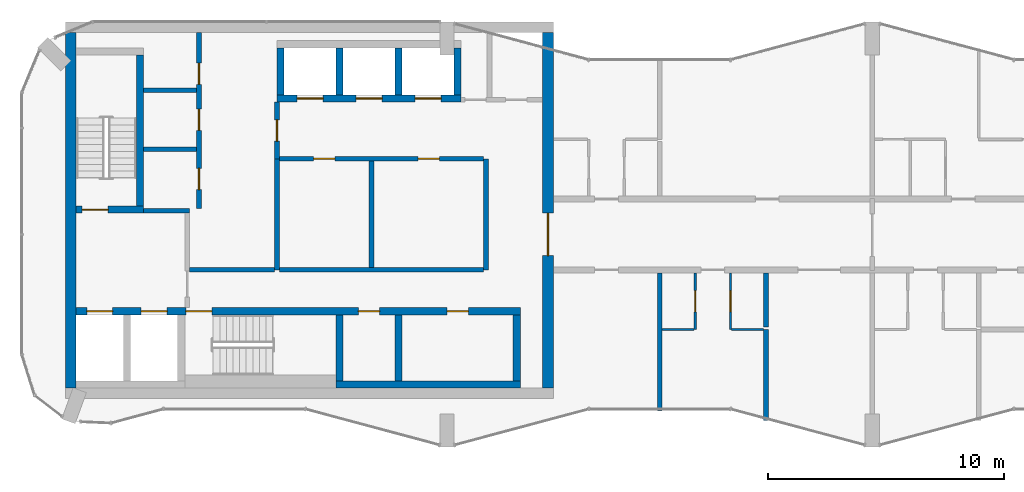
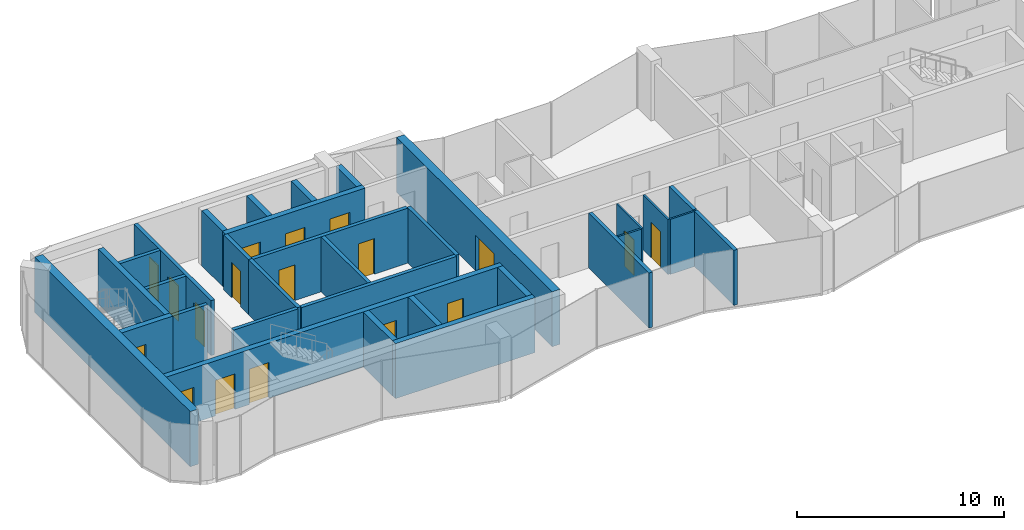
# One storey, part 7 of 10: 32 walls, 18 doors, 18 openings.
"""IFC4 building model written with IfcOpenShell, lengths in metres."""

from ifc_helpers import new_model, si_unit, direction, frame, frame_2d, origin, place, context, subcontext, project, spatial, rectangle, extrude, material, layer, layer_set, type_object, element, fill, save


model = new_model("IFC4")

# Units and contexts
model_context = context("Model", 3, precision=1e-05, world=origin(), true_north=direction((0.0, 1.0)))
body_context = subcontext(model_context, "Body", "Model", "MODEL_VIEW")
ifc_project = project(units=[si_unit("LENGTHUNIT", "METRE"), si_unit("AREAUNIT", "SQUARE_METRE"), si_unit("VOLUMEUNIT", "CUBIC_METRE"), si_unit("PLANEANGLEUNIT", "RADIAN"), si_unit("MASSUNIT", "GRAM", prefix="KILO")], contexts=[model_context])

# Site, building, storey
site_placement = place(None, origin())
site = spatial("IfcSite", under=ifc_project, at=site_placement, CompositionType="ELEMENT")
building_placement = place(site_placement, origin())
building = spatial("IfcBuilding", under=site, at=building_placement, Name="Plateau Cross Towers", CompositionType="ELEMENT")
storey_placement = place(building_placement, frame((0.0, 0.0, 263.39990234375)))
storey = spatial("IfcBuildingStorey", under=building, at=storey_placement, Name="L69", CompositionType="ELEMENT", Elevation=263.39990234375)

# Walls
ifc_material_1 = material(Name="Concrete block, plastered both sides", Category="concrete")
ifc_layer_1 = layer(ifc_material_1, 0.199951171875)
ifc_layer_set_1 = layer_set([ifc_layer_1], Name="Concrete block, plastered both sides")
wall_type_1 = type_object("IfcWallType", Name="Core partition 200", PredefinedType="PARTITIONING", material=ifc_layer_set_1)
wall_1_placement = place(storey_placement, frame((5.14990234375, 10.0, 0.0), z_axis=(0.0, 0.0, 1.0), x_axis=(1.0, 0.0, 0.0)))
element("IfcWall", 1, at=wall_1_placement, inside=storey, type_object=wall_type_1, Name="Core partition", PredefinedType="PARTITIONING", context=body_context, shape_type="SweptSolid", body=[
    extrude(rectangle(XDim=1.9501953125, YDim=0.199951171875, at=frame_2d((0.97509765625, 0.0))), origin(), (0.0, 0.0, 1.0), 3.25),
])
wall_2_placement = place(storey_placement, frame((7.10009765625, 7.5, 0.0), z_axis=(0.0, 0.0, 1.0), x_axis=(1.0, 0.0, 0.0)))
element("IfcWall", 2, at=wall_2_placement, inside=storey, type_object=wall_type_1, Name="Core partition", PredefinedType="PARTITIONING", context=body_context, shape_type="SweptSolid", body=[
    extrude(rectangle(XDim=3.599853515625, YDim=0.199951171875, at=frame_2d((1.7998046875, 0.0))), origin(), (0.0, 0.0, 1.0), 3.25),
])

# Wall, opening, door
wall_3_placement = place(storey_placement, frame((10.800048828125, 12.199951171875, 0.0), z_axis=(0.0, 0.0, 1.0), x_axis=(0.0, 1.0, 0.0)))
wall_3 = element("IfcWall", 3, at=wall_3_placement, inside=storey, type_object=wall_type_1, Name="Core partition", PredefinedType="PARTITIONING", context=body_context, shape_type="SweptSolid", body=[
    extrude(rectangle(XDim=2.400146484375, YDim=0.199951171875, at=frame_2d((1.2001953125, 0.0))), origin(), (0.0, 0.0, 1.0), 3.25),
])
opening_1_placement = place(wall_3_placement, frame((0.75, 0.0, 0.0)))
opening_1 = element("IfcOpeningElement", 4, at=opening_1_placement, cuts=wall_3, Name="Opening RD1", PredefinedType="OPENING", context=body_context, shape_type="SweptSolid", body=[
    extrude(rectangle(XDim=0.89990234375, YDim=2.10009765625, at=frame_2d((0.449951171875, 1.050048828125))), frame((0.0, 0.10986328125, 0.0), z_axis=(0.0, -1.0, 0.0), x_axis=(1.0, 0.0, 0.0)), (0.0, 0.0, 1.0), 0.219970703125),
])
ifc_material_2 = material(Name="Timber, fire-resisting leaf", Category="wood")
door_type_1 = type_object("IfcDoorType", Name="Core service door 900", OperationType="NOTDEFINED", PredefinedType="DOOR", material=ifc_material_2)
door_1_placement = place(opening_1_placement, origin())
door_1 = element("IfcDoor", 5, at=door_1_placement, inside=storey, type_object=door_type_1, Name="Core service door RD1", OperationType="SINGLE_SWING_LEFT", OverallHeight=2.10009765625, OverallWidth=0.89990234375, PredefinedType="DOOR", context=body_context, shape_type="SweptSolid", body=[
    extrude(rectangle(XDim=0.89990234375, YDim=2.10009765625, at=frame_2d((0.449951171875, 1.050048828125))), frame((0.0, 0.02490234375, 0.0), z_axis=(0.0, -1.0, 0.0), x_axis=(1.0, 0.0, 0.0)), (0.0, 0.0, 1.0), 0.050048828125),
])
fill(opening_1, door_1)

# Walls
wall_4_placement = place(storey_placement, frame((10.800048828125, 7.5, 0.0), z_axis=(0.0, 0.0, 1.0), x_axis=(0.0, 1.0, 0.0)))
element("IfcWall", 6, at=wall_4_placement, inside=storey, type_object=wall_type_1, Name="Core partition", PredefinedType="PARTITIONING", context=body_context, shape_type="SweptSolid", body=[
    extrude(rectangle(XDim=4.699951171875, YDim=0.199951171875, at=frame_2d((2.35009765625, 0.0))), origin(), (0.0, 0.0, 1.0), 3.25),
])
wall_5_placement = place(storey_placement, frame((10.89990234375, 7.5, 0.0), z_axis=(0.0, 0.0, 1.0), x_axis=(1.0, 0.0, 0.0)))
element("IfcWall", 7, at=wall_5_placement, inside=storey, type_object=wall_type_1, Name="Core partition", PredefinedType="PARTITIONING", context=body_context, shape_type="SweptSolid", body=[
    extrude(rectangle(XDim=8.650146484375, YDim=0.199951171875, at=frame_2d((4.3251953125, 0.0))), origin(), (0.0, 0.0, 1.0), 3.25),
])
wall_6_placement = place(storey_placement, frame((19.64990234375, 7.5, 0.0), z_axis=(0.0, 0.0, 1.0), x_axis=(0.0, 1.0, 0.0)))
element("IfcWall", 8, at=wall_6_placement, inside=storey, type_object=wall_type_1, Name="Core partition", PredefinedType="PARTITIONING", context=body_context, shape_type="SweptSolid", body=[
    extrude(rectangle(XDim=4.699951171875, YDim=0.199951171875, at=frame_2d((2.35009765625, 0.0))), origin(), (0.0, 0.0, 1.0), 3.25),
])

# Wall, openings, doors
wall_7_placement = place(storey_placement, frame((10.89990234375, 12.199951171875, 0.0), z_axis=(0.0, 0.0, 1.0), x_axis=(1.0, 0.0, 0.0)))
wall_7 = element("IfcWall", 9, at=wall_7_placement, inside=storey, type_object=wall_type_1, Name="Core partition", PredefinedType="PARTITIONING", context=body_context, shape_type="SweptSolid", body=[
    extrude(rectangle(XDim=8.650146484375, YDim=0.199951171875, at=frame_2d((4.3251953125, 0.0))), origin(), (0.0, 0.0, 1.0), 3.25),
])
opening_2_placement = place(wall_7_placement, frame((1.449951171875, 0.0, 0.0)))
opening_2 = element("IfcOpeningElement", 10, at=opening_2_placement, cuts=wall_7, Name="Opening RD1", PredefinedType="OPENING", context=body_context, shape_type="SweptSolid", body=[
    extrude(rectangle(XDim=0.89990234375, YDim=2.10009765625, at=frame_2d((0.449951171875, 1.050048828125))), frame((0.0, 0.10986328125, 0.0), z_axis=(0.0, -1.0, 0.0), x_axis=(1.0, 0.0, 0.0)), (0.0, 0.0, 1.0), 0.219970703125),
])
opening_3_placement = place(wall_7_placement, frame((5.875, 0.0, 0.0)))
opening_3 = element("IfcOpeningElement", 11, at=opening_3_placement, cuts=wall_7, Name="Opening RD1", PredefinedType="OPENING", context=body_context, shape_type="SweptSolid", body=[
    extrude(rectangle(XDim=0.89990234375, YDim=2.10009765625, at=frame_2d((0.449951171875, 1.050048828125))), frame((0.0, 0.10986328125, 0.0), z_axis=(0.0, -1.0, 0.0), x_axis=(1.0, 0.0, 0.0)), (0.0, 0.0, 1.0), 0.219970703125),
])
door_2_placement = place(opening_2_placement, origin())
door_2 = element("IfcDoor", 12, at=door_2_placement, inside=storey, type_object=door_type_1, Name="Core service door RD1", OperationType="SINGLE_SWING_LEFT", OverallHeight=2.10009765625, OverallWidth=0.89990234375, PredefinedType="DOOR", context=body_context, shape_type="SweptSolid", body=[
    extrude(rectangle(XDim=0.89990234375, YDim=2.10009765625, at=frame_2d((0.449951171875, 1.050048828125))), frame((0.0, 0.02490234375, 0.0), z_axis=(0.0, -1.0, 0.0), x_axis=(1.0, 0.0, 0.0)), (0.0, 0.0, 1.0), 0.050048828125),
])
fill(opening_2, door_2)
door_3_placement = place(opening_3_placement, origin())
door_3 = element("IfcDoor", 13, at=door_3_placement, inside=storey, type_object=door_type_1, Name="Core service door RD1", OperationType="SINGLE_SWING_LEFT", OverallHeight=2.10009765625, OverallWidth=0.89990234375, PredefinedType="DOOR", context=body_context, shape_type="SweptSolid", body=[
    extrude(rectangle(XDim=0.89990234375, YDim=2.10009765625, at=frame_2d((0.449951171875, 1.050048828125))), frame((0.0, 0.02490234375, 0.0), z_axis=(0.0, -1.0, 0.0), x_axis=(1.0, 0.0, 0.0)), (0.0, 0.0, 1.0), 0.050048828125),
])
fill(opening_3, door_3)

# Wall
wall_8_placement = place(storey_placement, frame((14.800048828125, 7.60009765625, 0.0), z_axis=(0.0, 0.0, 1.0), x_axis=(0.0, 1.0, 0.0)))
element("IfcWall", 14, at=wall_8_placement, inside=storey, type_object=wall_type_1, Name="Core partition", PredefinedType="PARTITIONING", context=body_context, shape_type="SweptSolid", body=[
    extrude(rectangle(XDim=4.5, YDim=0.199951171875, at=frame_2d((2.25, 0.0))), origin(), (0.0, 0.0, 1.0), 3.25),
])

# Wall, openings, doors
wall_9_placement = place(storey_placement, frame((7.5, 10.10009765625, 0.0), z_axis=(0.0, 0.0, 1.0), x_axis=(0.0, 1.0, 0.0)))
wall_9 = element("IfcWall", 15, at=wall_9_placement, inside=storey, type_object=wall_type_1, Name="Core partition", PredefinedType="PARTITIONING", context=body_context, shape_type="SweptSolid", body=[
    extrude(rectangle(XDim=7.449951171875, YDim=0.199951171875, at=frame_2d((3.72509765625, 0.0))), origin(), (0.0, 0.0, 1.0), 3.25),
])
opening_4_placement = place(wall_9_placement, frame((0.800048828125, 0.0, 0.0)))
opening_4 = element("IfcOpeningElement", 16, at=opening_4_placement, cuts=wall_9, Name="Opening RD1", PredefinedType="OPENING", context=body_context, shape_type="SweptSolid", body=[
    extrude(rectangle(XDim=0.89990234375, YDim=2.10009765625, at=frame_2d((0.449951171875, 1.050048828125))), frame((0.0, 0.10986328125, 0.0), z_axis=(0.0, -1.0, 0.0), x_axis=(1.0, 0.0, 0.0)), (0.0, 0.0, 1.0), 0.219970703125),
])
opening_5_placement = place(wall_9_placement, frame((3.300048828125, 0.0, 0.0)))
opening_5 = element("IfcOpeningElement", 17, at=opening_5_placement, cuts=wall_9, Name="Opening RD1", PredefinedType="OPENING", context=body_context, shape_type="SweptSolid", body=[
    extrude(rectangle(XDim=0.89990234375, YDim=2.10009765625, at=frame_2d((0.449951171875, 1.050048828125))), frame((0.0, 0.10986328125, 0.0), z_axis=(0.0, -1.0, 0.0), x_axis=(1.0, 0.0, 0.0)), (0.0, 0.0, 1.0), 0.219970703125),
])
opening_6_placement = place(wall_9_placement, frame((5.25, 0.0, 0.0)))
opening_6 = element("IfcOpeningElement", 18, at=opening_6_placement, cuts=wall_9, Name="Opening RD1", PredefinedType="OPENING", context=body_context, shape_type="SweptSolid", body=[
    extrude(rectangle(XDim=0.89990234375, YDim=2.10009765625, at=frame_2d((0.449951171875, 1.050048828125))), frame((0.0, 0.10986328125, 0.0), z_axis=(0.0, -1.0, 0.0), x_axis=(1.0, 0.0, 0.0)), (0.0, 0.0, 1.0), 0.219970703125),
])
door_4_placement = place(opening_4_placement, origin())
door_4 = element("IfcDoor", 19, at=door_4_placement, inside=storey, type_object=door_type_1, Name="Core service door RD1", OperationType="SINGLE_SWING_RIGHT", OverallHeight=2.10009765625, OverallWidth=0.89990234375, PredefinedType="DOOR", context=body_context, shape_type="SweptSolid", body=[
    extrude(rectangle(XDim=0.89990234375, YDim=2.10009765625, at=frame_2d((0.449951171875, 1.050048828125))), frame((0.0, 0.02490234375, 0.0), z_axis=(0.0, -1.0, 0.0), x_axis=(1.0, 0.0, 0.0)), (0.0, 0.0, 1.0), 0.050048828125),
])
fill(opening_4, door_4)
door_5_placement = place(opening_5_placement, origin())
door_5 = element("IfcDoor", 20, at=door_5_placement, inside=storey, type_object=door_type_1, Name="Core service door RD1", OperationType="SINGLE_SWING_RIGHT", OverallHeight=2.10009765625, OverallWidth=0.89990234375, PredefinedType="DOOR", context=body_context, shape_type="SweptSolid", body=[
    extrude(rectangle(XDim=0.89990234375, YDim=2.10009765625, at=frame_2d((0.449951171875, 1.050048828125))), frame((0.0, 0.02490234375, 0.0), z_axis=(0.0, -1.0, 0.0), x_axis=(1.0, 0.0, 0.0)), (0.0, 0.0, 1.0), 0.050048828125),
])
fill(opening_5, door_5)
door_6_placement = place(opening_6_placement, origin())
door_6 = element("IfcDoor", 21, at=door_6_placement, inside=storey, type_object=door_type_1, Name="Core service door RD1", OperationType="SINGLE_SWING_RIGHT", OverallHeight=2.10009765625, OverallWidth=0.89990234375, PredefinedType="DOOR", context=body_context, shape_type="SweptSolid", body=[
    extrude(rectangle(XDim=0.89990234375, YDim=2.10009765625, at=frame_2d((0.449951171875, 1.050048828125))), frame((0.0, 0.02490234375, 0.0), z_axis=(0.0, -1.0, 0.0), x_axis=(1.0, 0.0, 0.0)), (0.0, 0.0, 1.0), 0.050048828125),
])
fill(opening_6, door_6)

# Walls
for number, where, z_axis, x_axis, name in (
    (22, (5.14990234375, 12.60009765625, 0.0), (0.0, 0.0, 1.0), (1.0, 0.0, 0.0), "Core partition"),
    (23, (5.14990234375, 15.10009765625, 0.0), (0.0, 0.0, 1.0), (1.0, 0.0, 0.0), "Core partition"),
):
    element("IfcWall", number, at=place(storey_placement, frame(where, z_axis=z_axis, x_axis=x_axis)), inside=storey, type_object=wall_type_1, Name=name, PredefinedType="PARTITIONING", context=body_context, shape_type="SweptSolid", body=[
        extrude(rectangle(XDim=2.25, YDim=0.199951171875, at=frame_2d((1.125, 0.0))), origin(), (0.0, 0.0, 1.0), 3.25),
    ])
ifc_material_3 = material(Name="Concrete C60/75", Category="concrete")
ifc_layer_2 = layer(ifc_material_3, 0.300048828125)
ifc_layer_set_2 = layer_set([ifc_layer_2], Name="Concrete C60/75")
wall_type_2 = type_object("IfcWallType", Name="Core shaft wall 300", PredefinedType="SHEAR", material=ifc_layer_set_2)
wall_10_placement = place(storey_placement, frame((13.300048828125, 2.64990234375, 0.0), z_axis=(0.0, 0.0, 1.0), x_axis=(1.0, 0.0, 0.0)))
element("IfcWall", 24, at=wall_10_placement, inside=storey, type_object=wall_type_2, Name="A-sb-back3@L69", PredefinedType="SHEAR", context=body_context, shape_type="SweptSolid", body=[
    extrude(rectangle(XDim=7.800048828125, YDim=0.300048828125, at=frame_2d((3.89990234375, 0.0))), origin(), (0.0, 0.0, 1.0), 3.25),
])
for number, where, z_axis, x_axis, name in (
    (25, (13.449951171875, 2.800048828125, 0.0), (0.0, 0.0, 1.0), (0.0, 1.0, 0.0), "A-sb-v3@L69"),
    (26, (15.949951171875, 2.800048828125, 0.0), (0.0, 0.0, 1.0), (0.0, 1.0, 0.0), "A-sb-v4@L69"),
    (27, (20.949951171875, 2.800048828125, 0.0), (0.0, 0.0, 1.0), (0.0, 1.0, 0.0), "A-sb-v6@L69"),
):
    element("IfcWall", number, at=place(storey_placement, frame(where, z_axis=z_axis, x_axis=x_axis)), inside=storey, type_object=wall_type_2, Name=name, PredefinedType="SHEAR", context=body_context, shape_type="SweptSolid", body=[
        extrude(rectangle(XDim=2.800048828125, YDim=0.300048828125, at=frame_2d((1.39990234375, 0.0))), origin(), (0.0, 0.0, 1.0), 3.25),
    ])

# Wall, openings, doors
wall_11_placement = place(storey_placement, frame((2.300048828125, 5.75, 0.0), z_axis=(0.0, 0.0, 1.0), x_axis=(1.0, 0.0, 0.0)))
wall_11 = element("IfcWall", 28, at=wall_11_placement, inside=storey, type_object=wall_type_2, Name="A-sb-front@L69", PredefinedType="SHEAR", context=body_context, shape_type="SweptSolid", body=[
    extrude(rectangle(XDim=18.800048828125, YDim=0.300048828125, at=frame_2d((9.39990234375, 0.0))), origin(), (0.0, 0.0, 1.0), 3.25),
])
opening_7_placement = place(wall_11_placement, frame((4.64990234375, 0.0, 0.0)))
opening_7 = element("IfcOpeningElement", 29, at=opening_7_placement, cuts=wall_11, Name="Opening SD", PredefinedType="OPENING", context=body_context, shape_type="SweptSolid", body=[
    extrude(rectangle(XDim=1.10009765625, YDim=2.10009765625, at=frame_2d((0.550048828125, 1.050048828125))), frame((0.0, 0.159912109375, 0.0), z_axis=(0.0, -1.0, 0.0), x_axis=(1.0, 0.0, 0.0)), (0.0, 0.0, 1.0), 0.320068359375),
])
opening_8_placement = place(wall_11_placement, frame((0.449951171875, 0.0, 0.0)))
opening_8 = element("IfcOpeningElement", 30, at=opening_8_placement, cuts=wall_11, Name="Opening LD", PredefinedType="OPENING", context=body_context, shape_type="SweptSolid", body=[
    extrude(rectangle(XDim=1.10009765625, YDim=2.10009765625, at=frame_2d((0.550048828125, 1.050048828125))), frame((0.0, 0.159912109375, 0.0), z_axis=(0.0, -1.0, 0.0), x_axis=(1.0, 0.0, 0.0)), (0.0, 0.0, 1.0), 0.320068359375),
])
opening_9_placement = place(wall_11_placement, frame((2.75, 0.0, 0.0)))
opening_9 = element("IfcOpeningElement", 31, at=opening_9_placement, cuts=wall_11, Name="Opening LD", PredefinedType="OPENING", context=body_context, shape_type="SweptSolid", body=[
    extrude(rectangle(XDim=1.10009765625, YDim=2.10009765625, at=frame_2d((0.550048828125, 1.050048828125))), frame((0.0, 0.159912109375, 0.0), z_axis=(0.0, -1.0, 0.0), x_axis=(1.0, 0.0, 0.0)), (0.0, 0.0, 1.0), 0.320068359375),
])
opening_10_placement = place(wall_11_placement, frame((11.949951171875, 0.0, 0.0)))
opening_10 = element("IfcOpeningElement", 32, at=opening_10_placement, cuts=wall_11, Name="Opening RD2", PredefinedType="OPENING", context=body_context, shape_type="SweptSolid", body=[
    extrude(rectangle(XDim=0.89990234375, YDim=2.10009765625, at=frame_2d((0.449951171875, 1.050048828125))), frame((0.0, 0.159912109375, 0.0), z_axis=(0.0, -1.0, 0.0), x_axis=(1.0, 0.0, 0.0)), (0.0, 0.0, 1.0), 0.320068359375),
])
opening_11_placement = place(wall_11_placement, frame((15.699951171875, 0.0, 0.0)))
opening_11 = element("IfcOpeningElement", 33, at=opening_11_placement, cuts=wall_11, Name="Opening RD2", PredefinedType="OPENING", context=body_context, shape_type="SweptSolid", body=[
    extrude(rectangle(XDim=0.89990234375, YDim=2.10009765625, at=frame_2d((0.449951171875, 1.050048828125))), frame((0.0, 0.159912109375, 0.0), z_axis=(0.0, -1.0, 0.0), x_axis=(1.0, 0.0, 0.0)), (0.0, 0.0, 1.0), 0.320068359375),
])
ifc_material_4 = material(Name="Steel, fire-resisting leaf", Category="steel")
door_type_2 = type_object("IfcDoorType", Name="Core riser door 900", OperationType="NOTDEFINED", PredefinedType="DOOR", material=ifc_material_4)
door_7_placement = place(opening_10_placement, origin())
door_7 = element("IfcDoor", 34, at=door_7_placement, inside=storey, type_object=door_type_2, Name="Core riser door RD2", OperationType="SINGLE_SWING_LEFT", OverallHeight=2.10009765625, OverallWidth=0.89990234375, PredefinedType="DOOR", context=body_context, shape_type="SweptSolid", body=[
    extrude(rectangle(XDim=0.89990234375, YDim=2.10009765625, at=frame_2d((0.449951171875, 1.050048828125))), frame((0.0, 0.02490234375, 0.0), z_axis=(0.0, -1.0, 0.0), x_axis=(1.0, 0.0, 0.0)), (0.0, 0.0, 1.0), 0.050048828125),
])
fill(opening_10, door_7)
door_8_placement = place(opening_11_placement, origin())
door_8 = element("IfcDoor", 35, at=door_8_placement, inside=storey, type_object=door_type_2, Name="Core riser door RD2", OperationType="SINGLE_SWING_LEFT", OverallHeight=2.10009765625, OverallWidth=0.89990234375, PredefinedType="DOOR", context=body_context, shape_type="SweptSolid", body=[
    extrude(rectangle(XDim=0.89990234375, YDim=2.10009765625, at=frame_2d((0.449951171875, 1.050048828125))), frame((0.0, 0.02490234375, 0.0), z_axis=(0.0, -1.0, 0.0), x_axis=(1.0, 0.0, 0.0)), (0.0, 0.0, 1.0), 0.050048828125),
])
fill(opening_11, door_8)
ifc_material_5 = material(Name="Stainless steel, fire-resisting sliding leaves", Category="steel")
door_type_3 = type_object("IfcDoorType", Name="Lift landing door 1100", OperationType="NOTDEFINED", PredefinedType="DOOR", material=ifc_material_5)
door_9_placement = place(opening_8_placement, origin())
door_9 = element("IfcDoor", 36, at=door_9_placement, inside=storey, type_object=door_type_3, Name="Lift landing door LD", OperationType="DOUBLE_DOOR_SLIDING", OverallHeight=2.10009765625, OverallWidth=1.10009765625, PredefinedType="DOOR", context=body_context, shape_type="SweptSolid", body=[
    extrude(rectangle(XDim=1.10009765625, YDim=2.10009765625, at=frame_2d((0.550048828125, 1.050048828125))), frame((0.0, 0.02490234375, 0.0), z_axis=(0.0, -1.0, 0.0), x_axis=(1.0, 0.0, 0.0)), (0.0, 0.0, 1.0), 0.050048828125),
])
fill(opening_8, door_9)
door_10_placement = place(opening_9_placement, origin())
door_10 = element("IfcDoor", 37, at=door_10_placement, inside=storey, type_object=door_type_3, Name="Lift landing door LD", OperationType="DOUBLE_DOOR_SLIDING", OverallHeight=2.10009765625, OverallWidth=1.10009765625, PredefinedType="DOOR", context=body_context, shape_type="SweptSolid", body=[
    extrude(rectangle(XDim=1.10009765625, YDim=2.10009765625, at=frame_2d((0.550048828125, 1.050048828125))), frame((0.0, 0.02490234375, 0.0), z_axis=(0.0, -1.0, 0.0), x_axis=(1.0, 0.0, 0.0)), (0.0, 0.0, 1.0), 0.050048828125),
])
fill(opening_9, door_10)
door_type_4 = type_object("IfcDoorType", Name="Stair door 1100", OperationType="NOTDEFINED", PredefinedType="DOOR", material=ifc_material_4)
door_11_placement = place(opening_7_placement, origin())
door_11 = element("IfcDoor", 38, at=door_11_placement, inside=storey, type_object=door_type_4, Name="Stair door SD", OperationType="SINGLE_SWING_LEFT", OverallHeight=2.10009765625, OverallWidth=1.10009765625, PredefinedType="DOOR", context=body_context, shape_type="SweptSolid", body=[
    extrude(rectangle(XDim=1.10009765625, YDim=2.10009765625, at=frame_2d((0.550048828125, 1.050048828125))), frame((0.0, 0.02490234375, 0.0), z_axis=(0.0, -1.0, 0.0), x_axis=(1.0, 0.0, 0.0)), (0.0, 0.0, 1.0), 0.050048828125),
])
fill(opening_7, door_11)

# Wall, opening, door
wall_12_placement = place(storey_placement, frame((2.300048828125, 10.050048828125, 0.0), z_axis=(0.0, 0.0, 1.0), x_axis=(1.0, 0.0, 0.0)))
wall_12 = element("IfcWall", 39, at=wall_12_placement, inside=storey, type_object=wall_type_2, Name="A-st1-S@L69", PredefinedType="SHEAR", context=body_context, shape_type="SweptSolid", body=[
    extrude(rectangle(XDim=2.849853515625, YDim=0.300048828125, at=frame_2d((1.4248046875, 0.0))), origin(), (0.0, 0.0, 1.0), 3.25),
])
opening_12_placement = place(wall_12_placement, frame((0.25, 0.0, 0.0)))
opening_12 = element("IfcOpeningElement", 40, at=opening_12_placement, cuts=wall_12, Name="Opening SD", PredefinedType="OPENING", context=body_context, shape_type="SweptSolid", body=[
    extrude(rectangle(XDim=1.10009765625, YDim=2.10009765625, at=frame_2d((0.550048828125, 1.050048828125))), frame((0.0, 0.159912109375, 0.0), z_axis=(0.0, -1.0, 0.0), x_axis=(1.0, 0.0, 0.0)), (0.0, 0.0, 1.0), 0.320068359375),
])
door_12_placement = place(opening_12_placement, origin())
door_12 = element("IfcDoor", 41, at=door_12_placement, inside=storey, type_object=door_type_4, Name="Stair door SD", OperationType="SINGLE_SWING_RIGHT", OverallHeight=2.10009765625, OverallWidth=1.10009765625, PredefinedType="DOOR", context=body_context, shape_type="SweptSolid", body=[
    extrude(rectangle(XDim=1.10009765625, YDim=2.10009765625, at=frame_2d((0.550048828125, 1.050048828125))), frame((0.0, 0.02490234375, 0.0), z_axis=(0.0, -1.0, 0.0), x_axis=(1.0, 0.0, 0.0)), (0.0, 0.0, 1.0), 0.050048828125),
])
fill(opening_12, door_12)

# Wall
wall_13_placement = place(storey_placement, frame((5.0, 10.199951171875, 0.0), z_axis=(0.0, 0.0, 1.0), x_axis=(0.0, 1.0, 0.0)))
element("IfcWall", 42, at=wall_13_placement, inside=storey, type_object=wall_type_2, Name="A-st1-E@L69", PredefinedType="SHEAR", context=body_context, shape_type="SweptSolid", body=[
    extrude(rectangle(XDim=6.400146484375, YDim=0.300048828125, at=frame_2d((3.2001953125, 0.0))), origin(), (0.0, 0.0, 1.0), 3.25),
])

# Wall, openings, doors
wall_14_placement = place(storey_placement, frame((10.800048828125, 14.75, 0.0), z_axis=(0.0, 0.0, 1.0), x_axis=(1.0, 0.0, 0.0)))
wall_14 = element("IfcWall", 43, at=wall_14_placement, inside=storey, type_object=wall_type_2, Name="A-nb-front@L69", PredefinedType="SHEAR", context=body_context, shape_type="SweptSolid", body=[
    extrude(rectangle(XDim=7.800048828125, YDim=0.300048828125, at=frame_2d((3.89990234375, 0.0))), origin(), (0.0, 0.0, 1.0), 3.25),
])
opening_13_placement = place(wall_14_placement, frame((0.85009765625, 0.0, 0.0)))
opening_13 = element("IfcOpeningElement", 44, at=opening_13_placement, cuts=wall_14, Name="Opening LD", PredefinedType="OPENING", context=body_context, shape_type="SweptSolid", body=[
    extrude(rectangle(XDim=1.10009765625, YDim=2.10009765625, at=frame_2d((0.550048828125, 1.050048828125))), frame((0.0, 0.159912109375, 0.0), z_axis=(0.0, -1.0, 0.0), x_axis=(1.0, 0.0, 0.0)), (0.0, 0.0, 1.0), 0.320068359375),
])
opening_14_placement = place(wall_14_placement, frame((3.35009765625, 0.0, 0.0)))
opening_14 = element("IfcOpeningElement", 45, at=opening_14_placement, cuts=wall_14, Name="Opening LD", PredefinedType="OPENING", context=body_context, shape_type="SweptSolid", body=[
    extrude(rectangle(XDim=1.10009765625, YDim=2.10009765625, at=frame_2d((0.550048828125, 1.050048828125))), frame((0.0, 0.159912109375, 0.0), z_axis=(0.0, -1.0, 0.0), x_axis=(1.0, 0.0, 0.0)), (0.0, 0.0, 1.0), 0.320068359375),
])
opening_15_placement = place(wall_14_placement, frame((5.85009765625, 0.0, 0.0)))
opening_15 = element("IfcOpeningElement", 46, at=opening_15_placement, cuts=wall_14, Name="Opening LD", PredefinedType="OPENING", context=body_context, shape_type="SweptSolid", body=[
    extrude(rectangle(XDim=1.10009765625, YDim=2.10009765625, at=frame_2d((0.550048828125, 1.050048828125))), frame((0.0, 0.159912109375, 0.0), z_axis=(0.0, -1.0, 0.0), x_axis=(1.0, 0.0, 0.0)), (0.0, 0.0, 1.0), 0.320068359375),
])
door_13_placement = place(opening_13_placement, origin())
door_13 = element("IfcDoor", 47, at=door_13_placement, inside=storey, type_object=door_type_3, Name="Lift landing door LD", OperationType="DOUBLE_DOOR_SLIDING", OverallHeight=2.10009765625, OverallWidth=1.10009765625, PredefinedType="DOOR", context=body_context, shape_type="SweptSolid", body=[
    extrude(rectangle(XDim=1.10009765625, YDim=2.10009765625, at=frame_2d((0.550048828125, 1.050048828125))), frame((0.0, 0.02490234375, 0.0), z_axis=(0.0, -1.0, 0.0), x_axis=(1.0, 0.0, 0.0)), (0.0, 0.0, 1.0), 0.050048828125),
])
fill(opening_13, door_13)
door_14_placement = place(opening_14_placement, origin())
door_14 = element("IfcDoor", 48, at=door_14_placement, inside=storey, type_object=door_type_3, Name="Lift landing door LD", OperationType="DOUBLE_DOOR_SLIDING", OverallHeight=2.10009765625, OverallWidth=1.10009765625, PredefinedType="DOOR", context=body_context, shape_type="SweptSolid", body=[
    extrude(rectangle(XDim=1.10009765625, YDim=2.10009765625, at=frame_2d((0.550048828125, 1.050048828125))), frame((0.0, 0.02490234375, 0.0), z_axis=(0.0, -1.0, 0.0), x_axis=(1.0, 0.0, 0.0)), (0.0, 0.0, 1.0), 0.050048828125),
])
fill(opening_14, door_14)
door_15_placement = place(opening_15_placement, origin())
door_15 = element("IfcDoor", 49, at=door_15_placement, inside=storey, type_object=door_type_3, Name="Lift landing door LD", OperationType="DOUBLE_DOOR_SLIDING", OverallHeight=2.10009765625, OverallWidth=1.10009765625, PredefinedType="DOOR", context=body_context, shape_type="SweptSolid", body=[
    extrude(rectangle(XDim=1.10009765625, YDim=2.10009765625, at=frame_2d((0.550048828125, 1.050048828125))), frame((0.0, 0.02490234375, 0.0), z_axis=(0.0, -1.0, 0.0), x_axis=(1.0, 0.0, 0.0)), (0.0, 0.0, 1.0), 0.050048828125),
])
fill(opening_15, door_15)

# Walls
for number, where, z_axis, x_axis, name in (
    (50, (10.949951171875, 14.89990234375, 0.0), (0.0, 0.0, 1.0), (0.0, 1.0, 0.0), "A-nb-v1@L69"),
    (51, (13.449951171875, 14.89990234375, 0.0), (0.0, 0.0, 1.0), (0.0, 1.0, 0.0), "A-nb-v2@L69"),
    (52, (15.949951171875, 14.89990234375, 0.0), (0.0, 0.0, 1.0), (0.0, 1.0, 0.0), "A-nb-v3@L69"),
    (53, (18.449951171875, 14.89990234375, 0.0), (0.0, 0.0, 1.0), (0.0, 1.0, 0.0), "A-nb-v4@L69"),
):
    element("IfcWall", number, at=place(storey_placement, frame(where, z_axis=z_axis, x_axis=x_axis)), inside=storey, type_object=wall_type_2, Name=name, PredefinedType="SHEAR", context=body_context, shape_type="SweptSolid", body=[
        extrude(rectangle(XDim=2.0, YDim=0.300048828125, at=frame_2d((1.0, 0.0))), origin(), (0.0, 0.0, 1.0), 3.25),
    ])
ifc_layer_3 = layer(ifc_material_3, 0.449951171875)
ifc_layer_set_3 = layer_set([ifc_layer_3], Name="Concrete C60/75")
wall_type_3 = type_object("IfcWallType", Name="Core shell wall 450", PredefinedType="SHEAR", material=ifc_layer_set_3)
wall_15_placement = place(storey_placement, frame((2.074951171875, 2.5, 0.0), z_axis=(0.0, 0.0, 1.0), x_axis=(0.0, 1.0, 0.0)))
element("IfcWall", 54, at=wall_15_placement, inside=storey, type_object=wall_type_3, Name="A-core-W@L69", PredefinedType="SHEAR", context=body_context, shape_type="SweptSolid", body=[
    extrude(rectangle(XDim=15.050048828125, YDim=0.449951171875, at=frame_2d((7.52490234375, 0.0))), origin(), (0.0, 0.0, 1.0), 3.25),
])

# Wall, opening, door
wall_16_placement = place(storey_placement, frame((22.27490234375, 2.5, 0.0), z_axis=(0.0, 0.0, 1.0), x_axis=(0.0, 1.0, 0.0)))
wall_16 = element("IfcWall", 55, at=wall_16_placement, inside=storey, type_object=wall_type_3, Name="A-core-E@L69", PredefinedType="SHEAR", context=body_context, shape_type="SweptSolid", body=[
    extrude(rectangle(XDim=15.050048828125, YDim=0.449951171875, at=frame_2d((7.52490234375, 0.0))), origin(), (0.0, 0.0, 1.0), 3.25),
])
opening_16_placement = place(wall_16_placement, frame((5.60009765625, 0.0, 0.0)))
opening_16 = element("IfcOpeningElement", 56, at=opening_16_placement, cuts=wall_16, Name="Opening CD", PredefinedType="OPENING", context=body_context, shape_type="SweptSolid", body=[
    extrude(rectangle(XDim=1.800048828125, YDim=2.10009765625, at=frame_2d((0.89990234375, 1.050048828125))), frame((0.0, 0.23486328125, 0.0), z_axis=(0.0, -1.0, 0.0), x_axis=(1.0, 0.0, 0.0)), (0.0, 0.0, 1.0), 0.469970703125),
])
ifc_material_6 = material(Name="Steel, fire-resisting leaves", Category="steel")
door_type_5 = type_object("IfcDoorType", Name="Corridor door pair 1800", OperationType="NOTDEFINED", PredefinedType="DOOR", material=ifc_material_6)
door_16_placement = place(opening_16_placement, origin())
door_16 = element("IfcDoor", 57, at=door_16_placement, inside=storey, type_object=door_type_5, Name="Corridor door pair CD", OperationType="DOUBLE_DOOR_SINGLE_SWING", OverallHeight=2.10009765625, OverallWidth=1.800048828125, PredefinedType="DOOR", context=body_context, shape_type="SweptSolid", body=[
    extrude(rectangle(XDim=1.800048828125, YDim=2.10009765625, at=frame_2d((0.89990234375, 1.050048828125))), frame((0.0, 0.02490234375, 0.0), z_axis=(0.0, -1.0, 0.0), x_axis=(1.0, 0.0, 0.0)), (0.0, 0.0, 1.0), 0.050048828125),
])
fill(opening_16, door_16)

# Walls
ifc_material_7 = material(Name="Gypsum board on steel studs", Category="steel")
ifc_layer_4 = layer(ifc_material_7, 0.10009765625)
ifc_layer_set_4 = layer_set([ifc_layer_4], Name="Gypsum board on steel studs")
wall_type_4 = type_object("IfcWallType", Name="Flat partition 100", PredefinedType="PARTITIONING", material=ifc_layer_set_4)
for number, where, z_axis, x_axis, name in (
    (58, (27.10009765625, 4.97509765625, 0.0), (0.0, 0.0, 1.0), (1.0, 0.0, 0.0), "Partition wall"),
    (59, (30.050048828125, 4.97509765625, 0.0), (0.0, 0.0, 1.0), (1.0, 0.0, 0.0), "Partition wall"),
):
    element("IfcWall", number, at=place(storey_placement, frame(where, z_axis=z_axis, x_axis=x_axis)), inside=storey, type_object=wall_type_4, Name=name, PredefinedType="PARTITIONING", context=body_context, shape_type="SweptSolid", body=[
        extrude(rectangle(XDim=1.349853515625, YDim=0.10009765625, at=frame_2d((0.6748046875, 0.0))), origin(), (0.0, 0.0, 1.0), 3.25),
    ])

# Wall, opening, door
wall_17_placement = place(storey_placement, frame((28.5, 4.97509765625, 0.0), z_axis=(0.0, 0.0, 1.0), x_axis=(0.0, 1.0, 0.0)))
wall_17 = element("IfcWall", 60, at=wall_17_placement, inside=storey, type_object=wall_type_4, Name="Partition wall", PredefinedType="PARTITIONING", context=body_context, shape_type="SweptSolid", body=[
    extrude(rectangle(XDim=2.39990234375, YDim=0.10009765625, at=frame_2d((1.199951171875, 0.0))), origin(), (0.0, 0.0, 1.0), 3.25),
])
opening_17_placement = place(wall_17_placement, frame((0.75, 0.0, 0.0)))
opening_17 = element("IfcOpeningElement", 61, at=opening_17_placement, cuts=wall_17, Name="Opening 69-12", PredefinedType="OPENING", context=body_context, shape_type="SweptSolid", body=[
    extrude(rectangle(XDim=0.89990234375, YDim=2.10009765625, at=frame_2d((0.449951171875, 1.050048828125))), frame((0.0, 0.06005859375, 0.0), z_axis=(0.0, -1.0, 0.0), x_axis=(1.0, 0.0, 0.0)), (0.0, 0.0, 1.0), 0.1201171875),
])
ifc_material_8 = material(Name="Timber leaf", Category="wood")
door_type_6 = type_object("IfcDoorType", Name="Flat room door 900", OperationType="NOTDEFINED", PredefinedType="DOOR", material=ifc_material_8)
door_17_placement = place(opening_17_placement, origin())
door_17 = element("IfcDoor", 62, at=door_17_placement, inside=storey, type_object=door_type_6, Name="Door 69-12", OperationType="SINGLE_SWING_LEFT", OverallHeight=2.10009765625, OverallWidth=0.89990234375, PredefinedType="DOOR", context=body_context, shape_type="SweptSolid", body=[
    extrude(rectangle(XDim=0.89990234375, YDim=2.10009765625, at=frame_2d((0.449951171875, 1.050048828125))), frame((0.0, 0.02490234375, 0.0), z_axis=(0.0, -1.0, 0.0), x_axis=(1.0, 0.0, 0.0)), (0.0, 0.0, 1.0), 0.050048828125),
])
fill(opening_17, door_17)

wall_18_placement = place(storey_placement, frame((30.0, 7.375, 0.0), z_axis=(0.0, 0.0, 1.0), x_axis=(0.0, -1.0, 0.0)))
wall_18 = element("IfcWall", 63, at=wall_18_placement, inside=storey, type_object=wall_type_4, Name="Partition wall", PredefinedType="PARTITIONING", context=body_context, shape_type="SweptSolid", body=[
    extrude(rectangle(XDim=2.39990234375, YDim=0.10009765625, at=frame_2d((1.199951171875, 0.0))), origin(), (0.0, 0.0, 1.0), 3.25),
])
opening_18_placement = place(wall_18_placement, frame((0.75, 0.0, 0.0)))
opening_18 = element("IfcOpeningElement", 64, at=opening_18_placement, cuts=wall_18, Name="Opening 69-13", PredefinedType="OPENING", context=body_context, shape_type="SweptSolid", body=[
    extrude(rectangle(XDim=0.89990234375, YDim=2.10009765625, at=frame_2d((0.449951171875, 1.050048828125))), frame((0.0, 0.06005859375, 0.0), z_axis=(0.0, -1.0, 0.0), x_axis=(1.0, 0.0, 0.0)), (0.0, 0.0, 1.0), 0.1201171875),
])
door_18_placement = place(opening_18_placement, origin())
door_18 = element("IfcDoor", 65, at=door_18_placement, inside=storey, type_object=door_type_6, Name="Door 69-13", OperationType="SINGLE_SWING_LEFT", OverallHeight=2.10009765625, OverallWidth=0.89990234375, PredefinedType="DOOR", context=body_context, shape_type="SweptSolid", body=[
    extrude(rectangle(XDim=0.89990234375, YDim=2.10009765625, at=frame_2d((0.449951171875, 1.050048828125))), frame((0.0, 0.02490234375, 0.0), z_axis=(0.0, -1.0, 0.0), x_axis=(1.0, 0.0, 0.0)), (0.0, 0.0, 1.0), 0.050048828125),
])
fill(opening_18, door_18)

# Walls
ifc_material_9 = material(Name="Gypsum board on steel studs, two layers each side", Category="steel")
ifc_layer_5 = layer(ifc_material_9, 0.199951171875)
ifc_layer_set_5 = layer_set([ifc_layer_5], Name="Gypsum board on steel studs, two layers each side")
wall_type_5 = type_object("IfcWallType", Name="Flat party wall 200", PredefinedType="PARTITIONING", material=ifc_layer_set_5)
wall_19_placement = place(storey_placement, frame((27.0, 1.52685546875, 0.0), z_axis=(0.0, 0.0, 1.0), x_axis=(0.0, 1.0, 0.0)))
element("IfcWall", 66, at=wall_19_placement, inside=storey, type_object=wall_type_5, Name="Party wall", PredefinedType="PARTITIONING", context=body_context, shape_type="SweptSolid", body=[
    extrude(rectangle(XDim=5.84814453125, YDim=0.199951171875, at=frame_2d((2.924072265625, 0.0))), origin(), (0.0, 0.0, 1.0), 3.25),
])
wall_20_placement = place(storey_placement, frame((31.5, 4.97509765625, 0.0), z_axis=(0.0, 0.0, 1.0), x_axis=(0.0, -1.0, 0.0)))
element("IfcWall", 67, at=wall_20_placement, inside=storey, type_object=wall_type_5, Name="Party wall", PredefinedType="PARTITIONING", context=body_context, shape_type="SweptSolid", body=[
    extrude(rectangle(XDim=3.852783203125, YDim=0.199951171875, at=frame_2d((1.92626953125, 0.0))), origin(), (0.0, 0.0, 1.0), 3.25),
])
wall_21_placement = place(storey_placement, frame((31.5, 5.074951171875, 0.0), z_axis=(0.0, 0.0, 1.0), x_axis=(0.0, 1.0, 0.0)))
element("IfcWall", 68, at=wall_21_placement, inside=storey, type_object=wall_type_5, Name="Party wall", PredefinedType="PARTITIONING", context=body_context, shape_type="SweptSolid", body=[
    extrude(rectangle(XDim=2.300048828125, YDim=0.199951171875, at=frame_2d((1.14990234375, 0.0))), origin(), (0.0, 0.0, 1.0), 3.25),
])

save(model, "model.ifc")
